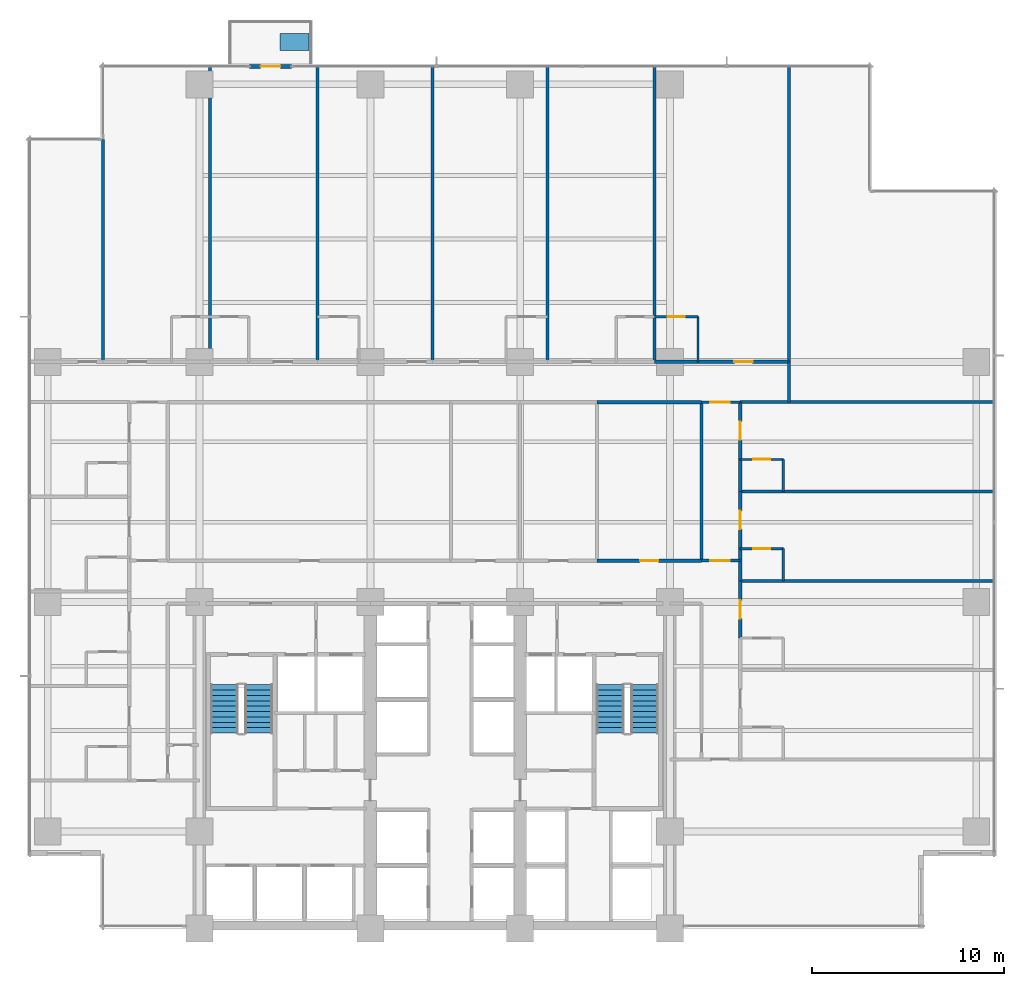
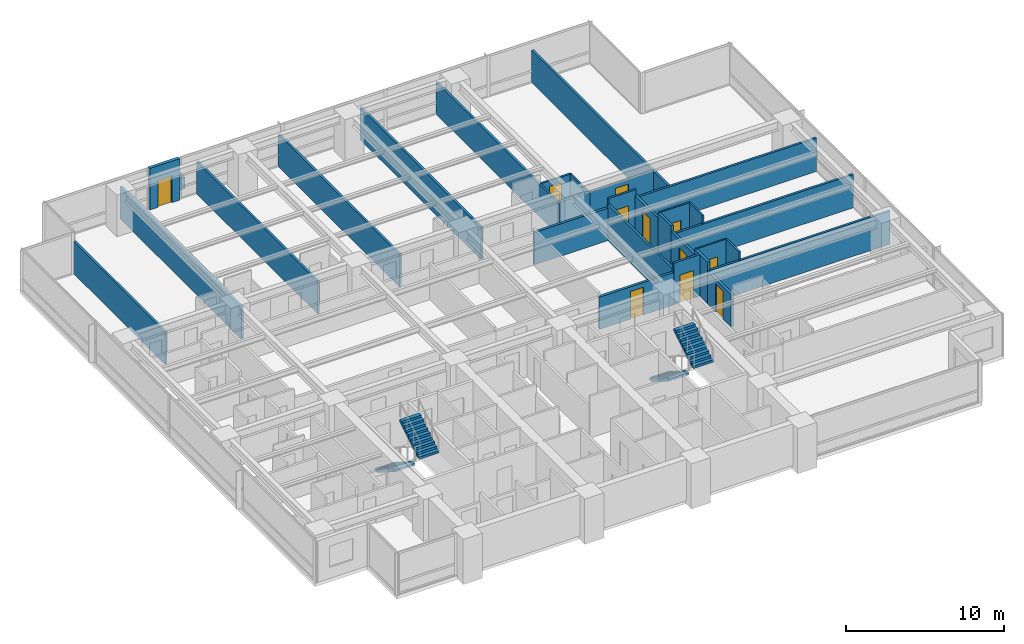
# One storey, part 11 of 16: 30 walls, 11 doors, 4 stair flights, 1 discrete accessory, 11 openings, 2 elements without a shape of their own.
"""IFC4 building model written with IfcOpenShell, lengths in metres."""

from ifc_helpers import new_model, si_unit, direction, frame, frame_2d, origin, place, context, subcontext, project, spatial, polyline, rectangle, outline, extrude, material, layer, layer_set, type_object, element, fill, aggregate, save


model = new_model("IFC4")

# Units and contexts
model_context = context("Model", 3, precision=1e-05, world=origin(), true_north=direction((0.0, 1.0)))
body_context = subcontext(model_context, "Body", "Model", "MODEL_VIEW")
ifc_project = project(units=[si_unit("LENGTHUNIT", "METRE"), si_unit("AREAUNIT", "SQUARE_METRE"), si_unit("VOLUMEUNIT", "CUBIC_METRE"), si_unit("PLANEANGLEUNIT", "RADIAN"), si_unit("MASSUNIT", "GRAM", prefix="KILO")], contexts=[model_context])

# Site, building, storey
site_placement = place(None, origin())
site = spatial("IfcSite", under=ifc_project, at=site_placement, CompositionType="ELEMENT")
building_placement = place(site_placement, origin())
building = spatial("IfcBuilding", under=site, at=building_placement, Name="Qalmaran Belvedere Hotel", CompositionType="ELEMENT")
storey_placement = place(building_placement, frame((0.0, 0.0, 57.89990234375)))
storey = spatial("IfcBuildingStorey", under=building, at=storey_placement, Name="L14", CompositionType="ELEMENT", Elevation=57.89990234375)

# Wall, opening, door
ifc_material_1 = material(Name="Anodised Bronze Cladding")
ifc_layer_1 = layer(ifc_material_1, 0.22509765625, Name="Anodised Bronze Cladding")
ifc_layer_set_1 = layer_set([ifc_layer_1], Name="Anodised Bronze Cladding")
wall_type_1 = type_object("IfcWallType", Name="WL-BAL-PORT-225", PredefinedType="SOLIDWALL", material=ifc_layer_set_1)
wall_1_placement = place(storey_placement, frame((22.89990234375, 48.3798828125, 0.0), z_axis=(0.0, 0.0, 1.0), x_axis=(1.0, 0.0, 0.0)))
wall_1 = element("IfcWall", 1, at=wall_1_placement, inside=storey, type_object=wall_type_1, Name="L14 Tree Balcony Door Portal", PredefinedType="SOLIDWALL", context=body_context, shape_type="SweptSolid", body=[
    extrude(rectangle(XDim=2.2001953125, YDim=0.22509765625, at=frame_2d((1.10009765625, 0.0))), origin(), (0.0, 0.0, 1.0), 3.22021484375),
])
opening_1_placement = place(wall_1_placement, frame((0.590087890625, 0.0, 0.0)))
opening_1 = element("IfcOpeningElement", 2, at=opening_1_placement, cuts=wall_1, Name="Opening BL-102", PredefinedType="OPENING", context=body_context, shape_type="SweptSolid", body=[
    extrude(rectangle(XDim=1.02001953125, YDim=2.10009765625, at=frame_2d((0.510009765625, 1.050048828125))), frame((0.0, 0.12255859375, 0.0), z_axis=(0.0, -1.0, 0.0), x_axis=(1.0, 0.0, 0.0)), (0.0, 0.0, 1.0), 0.2451171875),
])
ifc_material_2 = material(Name="Anodised Bronze Aluminium", Category="aluminium")
door_type_1 = type_object("IfcDoorType", Name="DR-BAL-1020X2100", OperationType="NOTDEFINED", PredefinedType="DOOR", material=ifc_material_2)
door_1_placement = place(opening_1_placement, origin())
door_1 = element("IfcDoor", 3, at=door_1_placement, inside=storey, type_object=door_type_1, Name="L14 Planted Tree Balcony Door", OperationType="SINGLE_SWING_LEFT", OverallHeight=2.10009765625, OverallWidth=1.02001953125, PredefinedType="DOOR", context=body_context, shape_type="SweptSolid", body=[
    extrude(rectangle(XDim=1.02001953125, YDim=2.10009765625, at=frame_2d((0.510009765625, 1.050048828125))), frame((0.0, 0.02490234375, 0.0), z_axis=(0.0, -1.0, 0.0), x_axis=(1.0, 0.0, 0.0)), (0.0, 0.0, 1.0), 0.050048828125),
])
fill(opening_1, door_1)

ifc_material_3 = material(Name="Moisture-Resistant Gypsum")
ifc_layer_2 = layer(ifc_material_3, 0.1201171875, Name="Moisture-Resistant Gypsum")
ifc_layer_set_2 = layer_set([ifc_layer_2], Name="Moisture-Resistant Gypsum")
wall_type_2 = type_object("IfcWallType", Name="WL-INT-120-BATH", PredefinedType="PARTITIONING", material=ifc_layer_set_2)
wall_2_placement = place(storey_placement, frame((44.005126953125, 35.35009765625, 0.0), z_axis=(0.0, 0.0, 1.0), x_axis=(1.0, 0.0, 0.0)))
wall_2 = element("IfcWall", 4, at=wall_2_placement, inside=storey, type_object=wall_type_2, Name="L14 Partition WL-L14-NBN05", PredefinedType="PARTITIONING", context=body_context, shape_type="SweptSolid", body=[
    extrude(rectangle(XDim=2.25, YDim=0.1201171875, at=frame_2d((1.125, 0.0))), origin(), (0.0, 0.0, 1.0), 2.510009765625),
])
opening_2_placement = place(wall_2_placement, frame((1.56494140625, 0.0, 0.0), z_axis=(0.0, 0.0, 1.0), x_axis=(-1.0, 0.0, 0.0)))
opening_2 = element("IfcOpeningElement", 5, at=opening_2_placement, cuts=wall_2, Name="Opening D-BATH", PredefinedType="OPENING", context=body_context, shape_type="SweptSolid", body=[
    extrude(rectangle(XDim=0.8798828125, YDim=2.080078125, at=frame_2d((0.43994140625, 1.0400390625))), frame((0.0, 0.070068359375, 0.0), z_axis=(0.0, -1.0, 0.0), x_axis=(1.0, 0.0, 0.0)), (0.0, 0.0, 1.0), 0.14013671875),
])
ifc_material_4 = material(Name="Engineered Oak Veneer")
door_type_2 = type_object("IfcDoorType", Name="DR-INT-BATH-880X2080", OperationType="NOTDEFINED", PredefinedType="DOOR", material=ifc_material_4)
door_2_placement = place(opening_2_placement, origin())
door_2 = element("IfcDoor", 6, at=door_2_placement, inside=storey, type_object=door_type_2, Name="L14 Ensuite Bathroom Door N06", OperationType="SINGLE_SWING_LEFT", OverallHeight=2.080078125, OverallWidth=0.8798828125, PredefinedType="DOOR", context=body_context, shape_type="SweptSolid", body=[
    extrude(rectangle(XDim=0.8798828125, YDim=2.080078125, at=frame_2d((0.43994140625, 1.0400390625))), frame((0.0, 0.02490234375, 0.0), z_axis=(0.0, -1.0, 0.0), x_axis=(1.0, 0.0, 0.0)), (0.0, 0.0, 1.0), 0.050048828125),
])
fill(opening_2, door_2)

# Wall
wall_3_placement = place(storey_placement, frame((46.255126953125, 33.0, 0.0), z_axis=(0.0, 0.0, 1.0), x_axis=(0.0, 1.0, 0.0)))
element("IfcWall", 7, at=wall_3_placement, inside=storey, type_object=wall_type_2, Name="L14 Partition WL-L14-NBS05", PredefinedType="PARTITIONING", context=body_context, shape_type="SweptSolid", body=[
    extrude(rectangle(XDim=2.35009765625, YDim=0.1201171875, at=frame_2d((1.175048828125, 0.0))), origin(), (0.0, 0.0, 1.0), 2.510009765625),
])

# Wall, opening, door
wall_4_placement = place(storey_placement, frame((48.449951171875, 23.27001953125, 0.0), z_axis=(0.0, 0.0, 1.0), x_axis=(1.0, 0.0, 0.0)))
wall_4 = element("IfcWall", 8, at=wall_4_placement, inside=storey, type_object=wall_type_2, Name="L14 Partition WL-L14-EBN02", PredefinedType="PARTITIONING", context=body_context, shape_type="SweptSolid", body=[
    extrude(rectangle(XDim=2.25, YDim=0.1201171875, at=frame_2d((1.125, 0.0))), origin(), (0.0, 0.0, 1.0), 3.22021484375),
])
opening_3_placement = place(wall_4_placement, frame((1.56494140625, 0.0, 0.0), z_axis=(0.0, 0.0, 1.0), x_axis=(-1.0, 0.0, 0.0)))
opening_3 = element("IfcOpeningElement", 9, at=opening_3_placement, cuts=wall_4, Name="Opening D-BATH", PredefinedType="OPENING", context=body_context, shape_type="SweptSolid", body=[
    extrude(rectangle(XDim=0.8798828125, YDim=2.080078125, at=frame_2d((0.43994140625, 1.0400390625))), frame((0.0, 0.070068359375, 0.0), z_axis=(0.0, -1.0, 0.0), x_axis=(1.0, 0.0, 0.0)), (0.0, 0.0, 1.0), 0.14013671875),
])
door_3_placement = place(opening_3_placement, origin())
door_3 = element("IfcDoor", 10, at=door_3_placement, inside=storey, type_object=door_type_2, Name="L14 E Ensuite Door 03", OperationType="SINGLE_SWING_LEFT", OverallHeight=2.080078125, OverallWidth=0.8798828125, PredefinedType="DOOR", context=body_context, shape_type="SweptSolid", body=[
    extrude(rectangle(XDim=0.8798828125, YDim=2.080078125, at=frame_2d((0.43994140625, 1.0400390625))), frame((0.0, 0.02490234375, 0.0), z_axis=(0.0, -1.0, 0.0), x_axis=(1.0, 0.0, 0.0)), (0.0, 0.0, 1.0), 0.050048828125),
])
fill(opening_3, door_3)

# Wall
wall_5_placement = place(storey_placement, frame((50.699951171875, 21.60009765625, 0.0), z_axis=(0.0, 0.0, 1.0), x_axis=(0.0, 1.0, 0.0)))
element("IfcWall", 11, at=wall_5_placement, inside=storey, type_object=wall_type_2, Name="L14 Partition WL-L14-EBS02", PredefinedType="PARTITIONING", context=body_context, shape_type="SweptSolid", body=[
    extrude(rectangle(XDim=1.669921875, YDim=0.1201171875, at=frame_2d((0.8349609375, 0.0))), origin(), (0.0, 0.0, 1.0), 3.22021484375),
])

# Wall, opening, door
wall_6_placement = place(storey_placement, frame((48.449951171875, 27.919921875, 0.0), z_axis=(0.0, 0.0, 1.0), x_axis=(1.0, 0.0, 0.0)))
wall_6 = element("IfcWall", 12, at=wall_6_placement, inside=storey, type_object=wall_type_2, Name="L14 Partition WL-L14-EBN03", PredefinedType="PARTITIONING", context=body_context, shape_type="SweptSolid", body=[
    extrude(rectangle(XDim=2.25, YDim=0.1201171875, at=frame_2d((1.125, 0.0))), origin(), (0.0, 0.0, 1.0), 3.22021484375),
])
opening_4_placement = place(wall_6_placement, frame((1.56494140625, 0.0, 0.0), z_axis=(0.0, 0.0, 1.0), x_axis=(-1.0, 0.0, 0.0)))
opening_4 = element("IfcOpeningElement", 13, at=opening_4_placement, cuts=wall_6, Name="Opening D-BATH", PredefinedType="OPENING", context=body_context, shape_type="SweptSolid", body=[
    extrude(rectangle(XDim=0.8798828125, YDim=2.080078125, at=frame_2d((0.43994140625, 1.0400390625))), frame((0.0, 0.070068359375, 0.0), z_axis=(0.0, -1.0, 0.0), x_axis=(1.0, 0.0, 0.0)), (0.0, 0.0, 1.0), 0.14013671875),
])
door_4_placement = place(opening_4_placement, origin())
door_4 = element("IfcDoor", 14, at=door_4_placement, inside=storey, type_object=door_type_2, Name="L14 E Ensuite Door 04", OperationType="SINGLE_SWING_LEFT", OverallHeight=2.080078125, OverallWidth=0.8798828125, PredefinedType="DOOR", context=body_context, shape_type="SweptSolid", body=[
    extrude(rectangle(XDim=0.8798828125, YDim=2.080078125, at=frame_2d((0.43994140625, 1.0400390625))), frame((0.0, 0.02490234375, 0.0), z_axis=(0.0, -1.0, 0.0), x_axis=(1.0, 0.0, 0.0)), (0.0, 0.0, 1.0), 0.050048828125),
])
fill(opening_4, door_4)

# Wall
wall_7_placement = place(storey_placement, frame((50.699951171875, 26.25, 0.0), z_axis=(0.0, 0.0, 1.0), x_axis=(0.0, 1.0, 0.0)))
element("IfcWall", 15, at=wall_7_placement, inside=storey, type_object=wall_type_2, Name="L14 Partition WL-L14-EBS03", PredefinedType="PARTITIONING", context=body_context, shape_type="SweptSolid", body=[
    extrude(rectangle(XDim=1.669921875, YDim=0.1201171875, at=frame_2d((0.8349609375, 0.0))), origin(), (0.0, 0.0, 1.0), 3.22021484375),
])

# Wall, opening, door
ifc_material_5 = material(Name="Gypsum Stud Partition")
ifc_layer_3 = layer(ifc_material_5, 0.14990234375, Name="Gypsum Stud Partition")
ifc_layer_set_3 = layer_set([ifc_layer_3], Name="Gypsum Stud Partition")
wall_type_3 = type_object("IfcWallType", Name="WL-INT-150-EI60", PredefinedType="PARTITIONING", material=ifc_layer_set_3)
wall_8_placement = place(storey_placement, frame((46.449951171875, 22.64990234375, 0.0), z_axis=(0.0, 0.0, 1.0), x_axis=(1.0, 0.0, 0.0)))
wall_8 = element("IfcWall", 16, at=wall_8_placement, inside=storey, type_object=wall_type_3, Name="L14 Partition WL-L14-XCE1", PredefinedType="PARTITIONING", context=body_context, shape_type="SweptSolid", body=[
    extrude(rectangle(XDim=2.0, YDim=0.14990234375, at=frame_2d((1.0, 0.0))), origin(), (0.0, 0.0, 1.0), 3.22021484375),
])
opening_5_placement = place(wall_8_placement, frame((0.449951171875, 0.0, 0.0)))
opening_5 = element("IfcOpeningElement", 17, at=opening_5_placement, cuts=wall_8, Name="Opening FD90B", PredefinedType="OPENING", context=body_context, shape_type="SweptSolid", body=[
    extrude(rectangle(XDim=1.0, YDim=2.14990234375, at=frame_2d((0.5, 1.074951171875))), frame((0.0, 0.0849609375, 0.0), z_axis=(0.0, -1.0, 0.0), x_axis=(1.0, 0.0, 0.0)), (0.0, 0.0, 1.0), 0.169921875),
])
ifc_material_6 = material(Name="Steel S355JR", Category="steel")
door_type_3 = type_object("IfcDoorType", Name="DR-FD90B-1000X2150", OperationType="NOTDEFINED", PredefinedType="DOOR", material=ifc_material_6)
door_5_placement = place(opening_5_placement, origin())
door_5 = element("IfcDoor", 18, at=door_5_placement, inside=storey, type_object=door_type_3, Name="L14 East Corridor Smoke Door S", OperationType="SINGLE_SWING_LEFT", OverallHeight=2.14990234375, OverallWidth=1.0, PredefinedType="DOOR", context=body_context, shape_type="SweptSolid", body=[
    extrude(rectangle(XDim=1.0, YDim=2.14990234375, at=frame_2d((0.5, 1.074951171875))), frame((0.0, 0.02490234375, 0.0), z_axis=(0.0, -1.0, 0.0), x_axis=(1.0, 0.0, 0.0)), (0.0, 0.0, 1.0), 0.050048828125),
])
fill(opening_5, door_5)

wall_9_placement = place(storey_placement, frame((46.449951171875, 30.89990234375, 0.0), z_axis=(0.0, 0.0, 1.0), x_axis=(1.0, 0.0, 0.0)))
wall_9 = element("IfcWall", 19, at=wall_9_placement, inside=storey, type_object=wall_type_3, Name="L14 Partition WL-L14-XCE2", PredefinedType="PARTITIONING", context=body_context, shape_type="SweptSolid", body=[
    extrude(rectangle(XDim=2.0, YDim=0.14990234375, at=frame_2d((1.0, 0.0))), origin(), (0.0, 0.0, 1.0), 3.22021484375),
])
opening_6_placement = place(wall_9_placement, frame((0.449951171875, 0.0, 0.0)))
opening_6 = element("IfcOpeningElement", 20, at=opening_6_placement, cuts=wall_9, Name="Opening FD90B", PredefinedType="OPENING", context=body_context, shape_type="SweptSolid", body=[
    extrude(rectangle(XDim=1.0, YDim=2.14990234375, at=frame_2d((0.5, 1.074951171875))), frame((0.0, 0.0849609375, 0.0), z_axis=(0.0, -1.0, 0.0), x_axis=(1.0, 0.0, 0.0)), (0.0, 0.0, 1.0), 0.169921875),
])
door_6_placement = place(opening_6_placement, origin())
door_6 = element("IfcDoor", 21, at=door_6_placement, inside=storey, type_object=door_type_3, Name="L14 East Corridor Smoke Door N", OperationType="SINGLE_SWING_RIGHT", OverallHeight=2.14990234375, OverallWidth=1.0, PredefinedType="DOOR", context=body_context, shape_type="SweptSolid", body=[
    extrude(rectangle(XDim=1.0, YDim=2.14990234375, at=frame_2d((0.5, 1.074951171875))), frame((0.0, 0.02490234375, 0.0), z_axis=(0.0, -1.0, 0.0), x_axis=(1.0, 0.0, 0.0)), (0.0, 0.0, 1.0), 0.050048828125),
])
fill(opening_6, door_6)

# Walls
ifc_layer_4 = layer(ifc_material_5, 0.159912109375, Name="Gypsum Stud Partition")
ifc_layer_set_4 = layer_set([ifc_layer_4], Name="Gypsum Stud Partition")
wall_type_4 = type_object("IfcWallType", Name="WL-INT-160-EI60", PredefinedType="PARTITIONING", material=ifc_layer_set_4)
wall_10_placement = place(storey_placement, frame((51.0, 30.89990234375, 0.0), z_axis=(0.0, 0.0, 1.0), x_axis=(0.0, 1.0, 0.0)))
element("IfcWall", 22, at=wall_10_placement, inside=storey, type_object=wall_type_4, Name="L14 Partition WL-L14-NCGE", PredefinedType="PARTITIONING", context=body_context, shape_type="SweptSolid", body=[
    extrude(rectangle(XDim=2.10009765625, YDim=0.159912109375, at=frame_2d((1.050048828125, 0.0))), origin(), (0.0, 0.0, 1.0), 2.510009765625),
])
wall_11_placement = place(storey_placement, frame((46.449951171875, 22.64990234375, 0.0), z_axis=(0.0, 0.0, 1.0), x_axis=(0.0, 1.0, 0.0)))
element("IfcWall", 23, at=wall_11_placement, inside=storey, type_object=wall_type_4, Name="L14 Partition WL-L14-MIDVR4", PredefinedType="PARTITIONING", context=body_context, shape_type="SweptSolid", body=[
    extrude(rectangle(XDim=8.25, YDim=0.159912109375, at=frame_2d((4.125, 0.0))), origin(), (0.0, 0.0, 1.0), 2.7880859375),
])
wall_12_placement = place(storey_placement, frame((15.27001953125, 33.0, 0.0), z_axis=(0.0, 0.0, 1.0), x_axis=(0.0, 1.0, 0.0)))
element("IfcWall", 24, at=wall_12_placement, inside=storey, type_object=wall_type_4, Name="L14 Partition WL-L14-NUL", PredefinedType="PARTITIONING", context=body_context, shape_type="SweptSolid", body=[
    extrude(rectangle(XDim=11.580078125, YDim=0.159912109375, at=frame_2d((5.7900390625, 0.0))), origin(), (0.0, 0.0, 1.0), 2.510009765625),
])
for number, where, z_axis, x_axis, name in (
    (25, (20.857421875, 33.0, 0.0), (0.0, 0.0, 1.0), (0.0, 1.0, 0.0), "L14 Partition WL-L14-NUR00"),
    (26, (26.44482421875, 33.0, 0.0), (0.0, 0.0, 1.0), (0.0, 1.0, 0.0), "L14 Partition WL-L14-NUR01"),
    (27, (32.431396484375, 33.0, 0.0), (0.0, 0.0, 1.0), (0.0, 1.0, 0.0), "L14 Partition WL-L14-NUR02"),
    (28, (38.417724609375, 33.0, 0.0), (0.0, 0.0, 1.0), (0.0, 1.0, 0.0), "L14 Partition WL-L14-NUR03"),
    (29, (44.005126953125, 33.0, 0.0), (0.0, 0.0, 1.0), (0.0, 1.0, 0.0), "L14 Partition WL-L14-NUR04"),
    (30, (51.0, 33.0, 0.0), (0.0, 0.0, 1.0), (0.0, 1.0, 0.0), "L14 Partition WL-L14-NUR05"),
):
    element("IfcWall", number, at=place(storey_placement, frame(where, z_axis=z_axis, x_axis=x_axis)), inside=storey, type_object=wall_type_4, Name=name, PredefinedType="PARTITIONING", context=body_context, shape_type="SweptSolid", body=[
        extrude(rectangle(XDim=15.3798828125, YDim=0.159912109375, at=frame_2d((7.68994140625, 0.0))), origin(), (0.0, 0.0, 1.0), 2.510009765625),
    ])
for number, where, z_axis, x_axis, name in (
    (31, (48.449951171875, 21.60009765625, 0.0), (0.0, 0.0, 1.0), (1.0, 0.0, 0.0), "L14 Partition WL-L14-EU01"),
    (32, (48.449951171875, 26.25, 0.0), (0.0, 0.0, 1.0), (1.0, 0.0, 0.0), "L14 Partition WL-L14-EU02"),
    (33, (48.449951171875, 30.89990234375, 0.0), (0.0, 0.0, 1.0), (1.0, 0.0, 0.0), "L14 Partition WL-L14-EU03"),
):
    element("IfcWall", number, at=place(storey_placement, frame(where, z_axis=z_axis, x_axis=x_axis)), inside=storey, type_object=wall_type_4, Name=name, PredefinedType="PARTITIONING", context=body_context, shape_type="SweptSolid", body=[
        extrude(rectangle(XDim=13.22998046875, YDim=0.159912109375, at=frame_2d((6.614990234375, 0.0))), origin(), (0.0, 0.0, 1.0), 2.5830078125),
    ])

# Wall, opening, door
ifc_layer_5 = layer(ifc_material_5, 0.179931640625, Name="Gypsum Stud Partition")
ifc_layer_set_5 = layer_set([ifc_layer_5], Name="Gypsum Stud Partition")
wall_type_5 = type_object("IfcWallType", Name="WL-INT-180-EI60", PredefinedType="PARTITIONING", material=ifc_layer_set_5)
wall_13_placement = place(storey_placement, frame((41.0, 22.64990234375, 0.0), z_axis=(0.0, 0.0, 1.0), x_axis=(1.0, 0.0, 0.0)))
wall_13 = element("IfcWall", 34, at=wall_13_placement, inside=storey, type_object=wall_type_5, Name="L14 Partition WL-L14-MIDD4", PredefinedType="PARTITIONING", context=body_context, shape_type="SweptSolid", body=[
    extrude(rectangle(XDim=5.449951171875, YDim=0.179931640625, at=frame_2d((2.72509765625, 0.0))), origin(), (0.0, 0.0, 1.0), 2.510009765625),
])
opening_7_placement = place(wall_13_placement, frame((2.25, 0.0, 0.0)))
opening_7 = element("IfcOpeningElement", 35, at=opening_7_placement, cuts=wall_13, Name="Opening FD60", PredefinedType="OPENING", context=body_context, shape_type="SweptSolid", body=[
    extrude(rectangle(XDim=0.949951171875, YDim=2.14990234375, at=frame_2d((0.47509765625, 1.074951171875))), frame((0.0, 0.10009765625, 0.0), z_axis=(0.0, -1.0, 0.0), x_axis=(1.0, 0.0, 0.0)), (0.0, 0.0, 1.0), 0.199951171875),
])
door_type_4 = type_object("IfcDoorType", Name="DR-FD60-950X2150", OperationType="NOTDEFINED", PredefinedType="DOOR", material=ifc_material_4)
door_7_placement = place(opening_7_placement, origin())
door_7 = element("IfcDoor", 36, at=door_7_placement, inside=storey, type_object=door_type_4, Name="L14 Beverage Pantry Door", OperationType="SINGLE_SWING_RIGHT", OverallHeight=2.14990234375, OverallWidth=0.949951171875, PredefinedType="DOOR", context=body_context, shape_type="SweptSolid", body=[
    extrude(rectangle(XDim=0.949951171875, YDim=2.14990234375, at=frame_2d((0.47509765625, 1.074951171875))), frame((0.0, 0.02490234375, 0.0), z_axis=(0.0, -1.0, 0.0), x_axis=(1.0, 0.0, 0.0)), (0.0, 0.0, 1.0), 0.050048828125),
])
fill(opening_7, door_7)

# Walls
wall_14_placement = place(storey_placement, frame((41.0, 30.89990234375, 0.0), z_axis=(0.0, 0.0, 1.0), x_axis=(1.0, 0.0, 0.0)))
element("IfcWall", 37, at=wall_14_placement, inside=storey, type_object=wall_type_5, Name="L14 Partition WL-L14-MIDO4", PredefinedType="PARTITIONING", context=body_context, shape_type="SweptSolid", body=[
    extrude(rectangle(XDim=5.449951171875, YDim=0.179931640625, at=frame_2d((2.72509765625, 0.0))), origin(), (0.0, 0.0, 1.0), 2.510009765625),
])
wall_15_placement = place(storey_placement, frame((44.005126953125, 33.0, 0.0), z_axis=(0.0, 0.0, 1.0), x_axis=(1.0, 0.0, 0.0)))
element("IfcWall", 38, at=wall_15_placement, inside=storey, type_object=wall_type_5, Name="L14 Partition WL-L14-NBC05", PredefinedType="PARTITIONING", context=body_context, shape_type="SweptSolid", body=[
    extrude(rectangle(XDim=2.25, YDim=0.179931640625, at=frame_2d((1.125, 0.0))), origin(), (0.0, 0.0, 1.0), 2.510009765625),
])

# Wall, opening, door
wall_16_placement = place(storey_placement, frame((46.255126953125, 33.0, 0.0), z_axis=(0.0, 0.0, 1.0), x_axis=(1.0, 0.0, 0.0)))
wall_16 = element("IfcWall", 39, at=wall_16_placement, inside=storey, type_object=wall_type_5, Name="L14 Partition WL-L14-NEC05", PredefinedType="PARTITIONING", context=body_context, shape_type="SweptSolid", body=[
    extrude(rectangle(XDim=4.744873046875, YDim=0.179931640625, at=frame_2d((2.37255859375, 0.0))), origin(), (0.0, 0.0, 1.0), 2.510009765625),
])
opening_8_placement = place(wall_16_placement, frame((1.8974609375, 0.0, 0.0)))
opening_8 = element("IfcOpeningElement", 40, at=opening_8_placement, cuts=wall_16, Name="Opening FD60", PredefinedType="OPENING", context=body_context, shape_type="SweptSolid", body=[
    extrude(rectangle(XDim=0.949951171875, YDim=2.14990234375, at=frame_2d((0.47509765625, 1.074951171875))), frame((0.0, 0.10009765625, 0.0), z_axis=(0.0, -1.0, 0.0), x_axis=(1.0, 0.0, 0.0)), (0.0, 0.0, 1.0), 0.199951171875),
])
door_8_placement = place(opening_8_placement, origin())
door_8 = element("IfcDoor", 41, at=door_8_placement, inside=storey, type_object=door_type_4, Name="L14 Guest Entrance Door N06", OperationType="SINGLE_SWING_RIGHT", OverallHeight=2.14990234375, OverallWidth=0.949951171875, PredefinedType="DOOR", context=body_context, shape_type="SweptSolid", body=[
    extrude(rectangle(XDim=0.949951171875, YDim=2.14990234375, at=frame_2d((0.47509765625, 1.074951171875))), frame((0.0, 0.02490234375, 0.0), z_axis=(0.0, -1.0, 0.0), x_axis=(1.0, 0.0, 0.0)), (0.0, 0.0, 1.0), 0.050048828125),
])
fill(opening_8, door_8)

wall_17_placement = place(storey_placement, frame((48.449951171875, 18.6201171875, 0.0), z_axis=(0.0, 0.0, 1.0), x_axis=(0.0, 1.0, 0.0)))
wall_17 = element("IfcWall", 42, at=wall_17_placement, inside=storey, type_object=wall_type_5, Name="L14 Partition WL-L14-EEC01", PredefinedType="PARTITIONING", context=body_context, shape_type="SweptSolid", body=[
    extrude(rectangle(XDim=2.97998046875, YDim=0.179931640625, at=frame_2d((1.489990234375, 0.0))), origin(), (0.0, 0.0, 1.0), 2.510009765625),
])
opening_9_placement = place(wall_17_placement, frame((1.96484375, 0.0, 0.0), z_axis=(0.0, 0.0, 1.0), x_axis=(-1.0, 0.0, 0.0)))
opening_9 = element("IfcOpeningElement", 43, at=opening_9_placement, cuts=wall_17, Name="Opening FD60", PredefinedType="OPENING", context=body_context, shape_type="SweptSolid", body=[
    extrude(rectangle(XDim=0.949951171875, YDim=2.14990234375, at=frame_2d((0.47509765625, 1.074951171875))), frame((0.0, 0.10009765625, 0.0), z_axis=(0.0, -1.0, 0.0), x_axis=(1.0, 0.0, 0.0)), (0.0, 0.0, 1.0), 0.199951171875),
])
door_9_placement = place(opening_9_placement, origin())
door_9 = element("IfcDoor", 44, at=door_9_placement, inside=storey, type_object=door_type_4, Name="L14 E Wing Door 02", OperationType="SINGLE_SWING_RIGHT", OverallHeight=2.14990234375, OverallWidth=0.949951171875, PredefinedType="DOOR", context=body_context, shape_type="SweptSolid", body=[
    extrude(rectangle(XDim=0.949951171875, YDim=2.14990234375, at=frame_2d((0.47509765625, 1.074951171875))), frame((0.0, 0.02490234375, 0.0), z_axis=(0.0, -1.0, 0.0), x_axis=(1.0, 0.0, 0.0)), (0.0, 0.0, 1.0), 0.050048828125),
])
fill(opening_9, door_9)

# Wall
wall_18_placement = place(storey_placement, frame((48.449951171875, 21.60009765625, 0.0), z_axis=(0.0, 0.0, 1.0), x_axis=(0.0, 1.0, 0.0)))
element("IfcWall", 45, at=wall_18_placement, inside=storey, type_object=wall_type_5, Name="L14 Partition WL-L14-EBC02", PredefinedType="PARTITIONING", context=body_context, shape_type="SweptSolid", body=[
    extrude(rectangle(XDim=1.669921875, YDim=0.179931640625, at=frame_2d((0.8349609375, 0.0))), origin(), (0.0, 0.0, 1.0), 3.22021484375),
])

# Wall, opening, door
wall_19_placement = place(storey_placement, frame((48.449951171875, 23.27001953125, 0.0), z_axis=(0.0, 0.0, 1.0), x_axis=(0.0, 1.0, 0.0)))
wall_19 = element("IfcWall", 46, at=wall_19_placement, inside=storey, type_object=wall_type_5, Name="L14 Partition WL-L14-EEC02", PredefinedType="PARTITIONING", context=body_context, shape_type="SweptSolid", body=[
    extrude(rectangle(XDim=2.97998046875, YDim=0.179931640625, at=frame_2d((1.489990234375, 0.0))), origin(), (0.0, 0.0, 1.0), 2.7880859375),
])
opening_10_placement = place(wall_19_placement, frame((1.96484375, 0.0, 0.0), z_axis=(0.0, 0.0, 1.0), x_axis=(-1.0, 0.0, 0.0)))
opening_10 = element("IfcOpeningElement", 47, at=opening_10_placement, cuts=wall_19, Name="Opening FD60", PredefinedType="OPENING", context=body_context, shape_type="SweptSolid", body=[
    extrude(rectangle(XDim=0.949951171875, YDim=2.14990234375, at=frame_2d((0.47509765625, 1.074951171875))), frame((0.0, 0.10009765625, 0.0), z_axis=(0.0, -1.0, 0.0), x_axis=(1.0, 0.0, 0.0)), (0.0, 0.0, 1.0), 0.199951171875),
])
door_10_placement = place(opening_10_placement, origin())
door_10 = element("IfcDoor", 48, at=door_10_placement, inside=storey, type_object=door_type_4, Name="L14 E Wing Door 03", OperationType="SINGLE_SWING_RIGHT", OverallHeight=2.14990234375, OverallWidth=0.949951171875, PredefinedType="DOOR", context=body_context, shape_type="SweptSolid", body=[
    extrude(rectangle(XDim=0.949951171875, YDim=2.14990234375, at=frame_2d((0.47509765625, 1.074951171875))), frame((0.0, 0.02490234375, 0.0), z_axis=(0.0, -1.0, 0.0), x_axis=(1.0, 0.0, 0.0)), (0.0, 0.0, 1.0), 0.050048828125),
])
fill(opening_10, door_10)

# Wall
wall_20_placement = place(storey_placement, frame((48.449951171875, 26.25, 0.0), z_axis=(0.0, 0.0, 1.0), x_axis=(0.0, 1.0, 0.0)))
element("IfcWall", 49, at=wall_20_placement, inside=storey, type_object=wall_type_5, Name="L14 Partition WL-L14-EBC03", PredefinedType="PARTITIONING", context=body_context, shape_type="SweptSolid", body=[
    extrude(rectangle(XDim=1.669921875, YDim=0.179931640625, at=frame_2d((0.8349609375, 0.0))), origin(), (0.0, 0.0, 1.0), 3.22021484375),
])

# Wall, opening, door
wall_21_placement = place(storey_placement, frame((48.449951171875, 27.919921875, 0.0), z_axis=(0.0, 0.0, 1.0), x_axis=(0.0, 1.0, 0.0)))
wall_21 = element("IfcWall", 50, at=wall_21_placement, inside=storey, type_object=wall_type_5, Name="L14 Partition WL-L14-EEC03", PredefinedType="PARTITIONING", context=body_context, shape_type="SweptSolid", body=[
    extrude(rectangle(XDim=2.97998046875, YDim=0.179931640625, at=frame_2d((1.489990234375, 0.0))), origin(), (0.0, 0.0, 1.0), 2.7880859375),
])
opening_11_placement = place(wall_21_placement, frame((1.96484375, 0.0, 0.0), z_axis=(0.0, 0.0, 1.0), x_axis=(-1.0, 0.0, 0.0)))
opening_11 = element("IfcOpeningElement", 51, at=opening_11_placement, cuts=wall_21, Name="Opening FD60", PredefinedType="OPENING", context=body_context, shape_type="SweptSolid", body=[
    extrude(rectangle(XDim=0.949951171875, YDim=2.14990234375, at=frame_2d((0.47509765625, 1.074951171875))), frame((0.0, 0.10009765625, 0.0), z_axis=(0.0, -1.0, 0.0), x_axis=(1.0, 0.0, 0.0)), (0.0, 0.0, 1.0), 0.199951171875),
])
door_11_placement = place(opening_11_placement, origin())
door_11 = element("IfcDoor", 52, at=door_11_placement, inside=storey, type_object=door_type_4, Name="L14 E Wing Door 04", OperationType="SINGLE_SWING_RIGHT", OverallHeight=2.14990234375, OverallWidth=0.949951171875, PredefinedType="DOOR", context=body_context, shape_type="SweptSolid", body=[
    extrude(rectangle(XDim=0.949951171875, YDim=2.14990234375, at=frame_2d((0.47509765625, 1.074951171875))), frame((0.0, 0.02490234375, 0.0), z_axis=(0.0, -1.0, 0.0), x_axis=(1.0, 0.0, 0.0)), (0.0, 0.0, 1.0), 0.050048828125),
])
fill(opening_11, door_11)

# Stair, stair flights
ifc_material_7 = material(Name="Concrete C40/50", Category="concrete")
stair_type_1 = type_object("IfcStairType", Name="STR-ST-1-1450-R1750", PredefinedType="HALF_TURN_STAIR", material=ifc_material_7)
stair_1_placement = place(storey_placement, origin())
stair_1 = element("IfcStair", 53, at=stair_1_placement, inside=storey, type_object=stair_type_1, Name="L14 West Core Exit Stair ST-1", PredefinedType="HALF_TURN_STAIR")
ifc_layer_6 = layer(ifc_material_7, 0.14990234375, Name="Concrete C40/50")
ifc_layer_set_6 = layer_set([ifc_layer_6], Name="Concrete C40/50")
stair_flight_type_1 = type_object("IfcStairFlightType", Name="STF-ST-1-1450-R1750", PredefinedType="STRAIGHT", material=ifc_layer_set_6)
stair_flight_1_placement = place(storey_placement, frame((21.60498046875, 16.18994140625, 0.0), z_axis=(0.0, 0.0, 1.0), x_axis=(0.0, -1.0, 0.0)))
stair_flight_1 = element("IfcStairFlight", 54, at=stair_flight_1_placement, type_object=stair_flight_type_1, Name="ST-1 flight 1", NumberOfRisers=10, NumberOfTreads=9, PredefinedType="STRAIGHT", RiserHeight=0.175, TreadLength=0.28, context=body_context, shape_type="SweptSolid", body=[
    extrude(outline(polyline([(0.0, 0.0), (0.0, 0.175048828125), (0.280029296875, 0.175048828125), (0.280029296875, 0.35009765625), (0.56005859375, 0.35009765625), (0.56005859375, 0.52490234375), (0.840087890625, 0.52490234375), (0.840087890625, 0.699951171875), (1.1201171875, 0.699951171875), (1.1201171875, 0.875), (1.39990234375, 0.875), (1.39990234375, 1.050048828125), (1.679931640625, 1.050048828125), (1.679931640625, 1.22509765625), (1.9599609375, 1.22509765625), (1.9599609375, 1.39990234375), (2.239990234375, 1.39990234375), (2.239990234375, 1.574951171875), (2.52001953125, 1.574951171875), (2.52001953125, 1.75), (2.52001953125, 1.398193359375), (0.28271484375, 0.0), (0.0, 0.0)])), frame((0.0, 0.72509765625, 0.0), z_axis=(0.0, -1.0, 0.0), x_axis=(1.0, 0.0, 0.0)), (0.0, 0.0, 1.0), 1.449951171875),
])
stair_flight_2_placement = place(storey_placement, frame((23.39501953125, 13.669921875, 1.75), z_axis=(0.0, 0.0, 1.0), x_axis=(0.0, 1.0, 0.0)))
stair_flight_2 = element("IfcStairFlight", 55, at=stair_flight_2_placement, type_object=stair_flight_type_1, Name="ST-1 flight 2", NumberOfRisers=10, NumberOfTreads=9, PredefinedType="STRAIGHT", RiserHeight=0.175, TreadLength=0.28, context=body_context, shape_type="SweptSolid", body=[
    extrude(outline(polyline([(0.0, 0.0), (0.0, 0.175048828125), (0.280029296875, 0.175048828125), (0.280029296875, 0.35009765625), (0.56005859375, 0.35009765625), (0.56005859375, 0.52490234375), (0.840087890625, 0.52490234375), (0.840087890625, 0.699951171875), (1.1201171875, 0.699951171875), (1.1201171875, 0.875), (1.39990234375, 0.875), (1.39990234375, 1.050048828125), (1.679931640625, 1.050048828125), (1.679931640625, 1.22509765625), (1.9599609375, 1.22509765625), (1.9599609375, 1.39990234375), (2.239990234375, 1.39990234375), (2.239990234375, 1.574951171875), (2.52001953125, 1.574951171875), (2.52001953125, 1.75), (2.52001953125, 1.398193359375), (0.28271484375, 0.0), (0.0, 0.0)])), frame((0.0, 0.72509765625, 0.0), z_axis=(0.0, -1.0, 0.0), x_axis=(1.0, 0.0, 0.0)), (0.0, 0.0, 1.0), 1.449951171875),
])
aggregate(stair_1, [stair_flight_1, stair_flight_2])

stair_type_2 = type_object("IfcStairType", Name="STR-ST-2-1450-R1750", PredefinedType="HALF_TURN_STAIR", material=ifc_material_7)
stair_2_placement = place(storey_placement, origin())
stair_2 = element("IfcStair", 56, at=stair_2_placement, inside=storey, type_object=stair_type_2, Name="L14 East Core Exit Stair ST-2", PredefinedType="HALF_TURN_STAIR")
ifc_layer_7 = layer(ifc_material_7, 0.14990234375, Name="Concrete C40/50")
ifc_layer_set_7 = layer_set([ifc_layer_7], Name="Concrete C40/50")
stair_flight_type_2 = type_object("IfcStairFlightType", Name="STF-ST-2-1450-R1750", PredefinedType="STRAIGHT", material=ifc_layer_set_7)
stair_flight_3_placement = place(storey_placement, frame((41.68505859375, 16.18994140625, 0.0), z_axis=(0.0, 0.0, 1.0), x_axis=(0.0, -1.0, 0.0)))
stair_flight_3 = element("IfcStairFlight", 57, at=stair_flight_3_placement, type_object=stair_flight_type_2, Name="ST-2 flight 1", NumberOfRisers=10, NumberOfTreads=9, PredefinedType="STRAIGHT", RiserHeight=0.175, TreadLength=0.28, context=body_context, shape_type="SweptSolid", body=[
    extrude(outline(polyline([(0.0, 0.0), (0.0, 0.175048828125), (0.280029296875, 0.175048828125), (0.280029296875, 0.35009765625), (0.56005859375, 0.35009765625), (0.56005859375, 0.52490234375), (0.840087890625, 0.52490234375), (0.840087890625, 0.699951171875), (1.1201171875, 0.699951171875), (1.1201171875, 0.875), (1.39990234375, 0.875), (1.39990234375, 1.050048828125), (1.679931640625, 1.050048828125), (1.679931640625, 1.22509765625), (1.9599609375, 1.22509765625), (1.9599609375, 1.39990234375), (2.239990234375, 1.39990234375), (2.239990234375, 1.574951171875), (2.52001953125, 1.574951171875), (2.52001953125, 1.75), (2.52001953125, 1.398193359375), (0.28271484375, 0.0), (0.0, 0.0)])), frame((0.0, 0.72509765625, 0.0), z_axis=(0.0, -1.0, 0.0), x_axis=(1.0, 0.0, 0.0)), (0.0, 0.0, 1.0), 1.449951171875),
])
stair_flight_4_placement = place(storey_placement, frame((43.47509765625, 13.669921875, 1.75), z_axis=(0.0, 0.0, 1.0), x_axis=(0.0, 1.0, 0.0)))
stair_flight_4 = element("IfcStairFlight", 58, at=stair_flight_4_placement, type_object=stair_flight_type_2, Name="ST-2 flight 2", NumberOfRisers=10, NumberOfTreads=9, PredefinedType="STRAIGHT", RiserHeight=0.175, TreadLength=0.28, context=body_context, shape_type="SweptSolid", body=[
    extrude(outline(polyline([(0.0, 0.0), (0.0, 0.175048828125), (0.280029296875, 0.175048828125), (0.280029296875, 0.35009765625), (0.56005859375, 0.35009765625), (0.56005859375, 0.52490234375), (0.840087890625, 0.52490234375), (0.840087890625, 0.699951171875), (1.1201171875, 0.699951171875), (1.1201171875, 0.875), (1.39990234375, 0.875), (1.39990234375, 1.050048828125), (1.679931640625, 1.050048828125), (1.679931640625, 1.22509765625), (1.9599609375, 1.22509765625), (1.9599609375, 1.39990234375), (2.239990234375, 1.39990234375), (2.239990234375, 1.574951171875), (2.52001953125, 1.574951171875), (2.52001953125, 1.75), (2.52001953125, 1.398193359375), (0.28271484375, 0.0), (0.0, 0.0)])), frame((0.0, 0.72509765625, 0.0), z_axis=(0.0, -1.0, 0.0), x_axis=(1.0, 0.0, 0.0)), (0.0, 0.0, 1.0), 1.449951171875),
])
aggregate(stair_2, [stair_flight_3, stair_flight_4])

# Discrete accessory
discrete_accessory_type = type_object("IfcDiscreteAccessoryType", Name="PLN-BAL-1500", PredefinedType="USERDEFINED", material=ifc_material_7)
discrete_accessory_placement = place(storey_placement, origin())
element("IfcDiscreteAccessory", 59, at=discrete_accessory_placement, inside=storey, type_object=discrete_accessory_type, Name="L14 Sky Tree Planter", ObjectType="PLANTER", PredefinedType="USERDEFINED", context=body_context, shape_type="SweptSolid", body=[
    extrude(outline(polyline([(24.5, 49.199951171875), (26.0, 49.199951171875), (26.0, 50.10009765625), (24.5, 50.10009765625), (24.5, 49.199951171875)])), origin(), (0.0, 0.0, 1.0), 0.900146484375),
])

save(model, "model.ifc")
